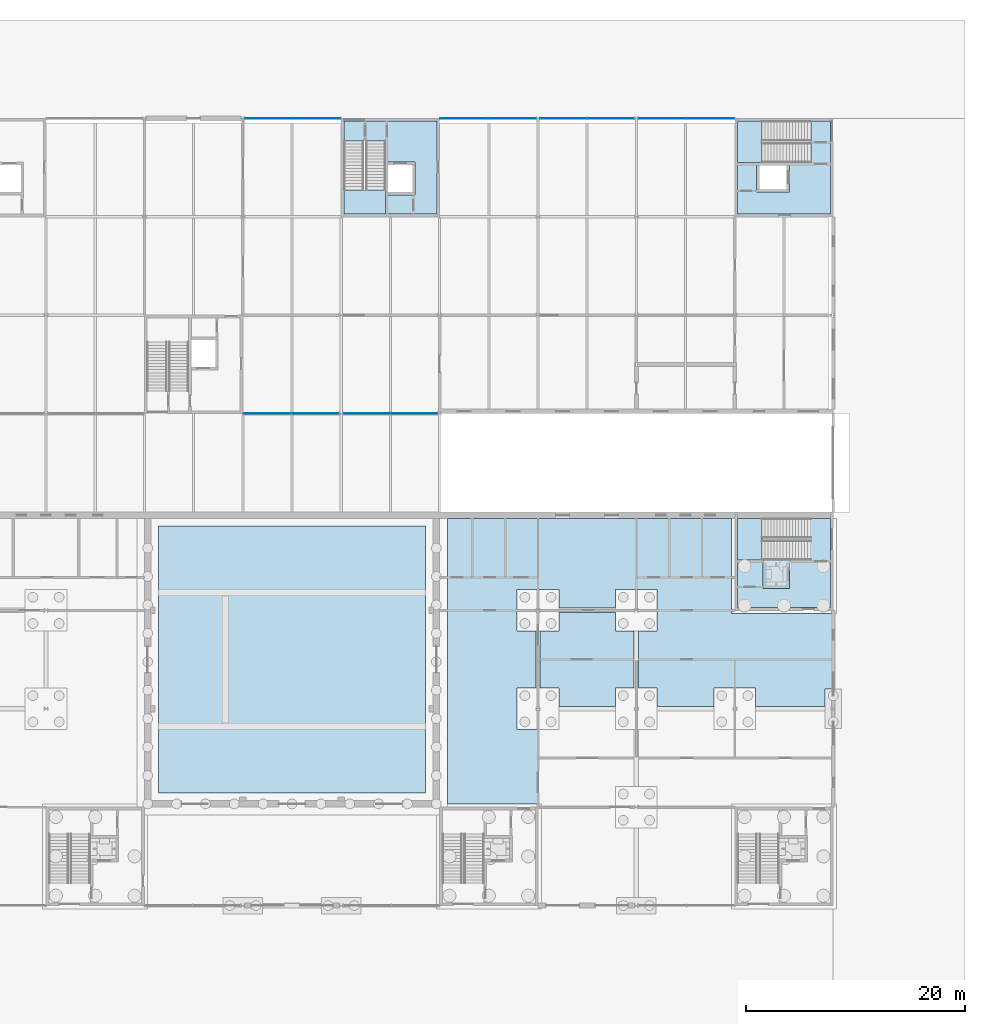
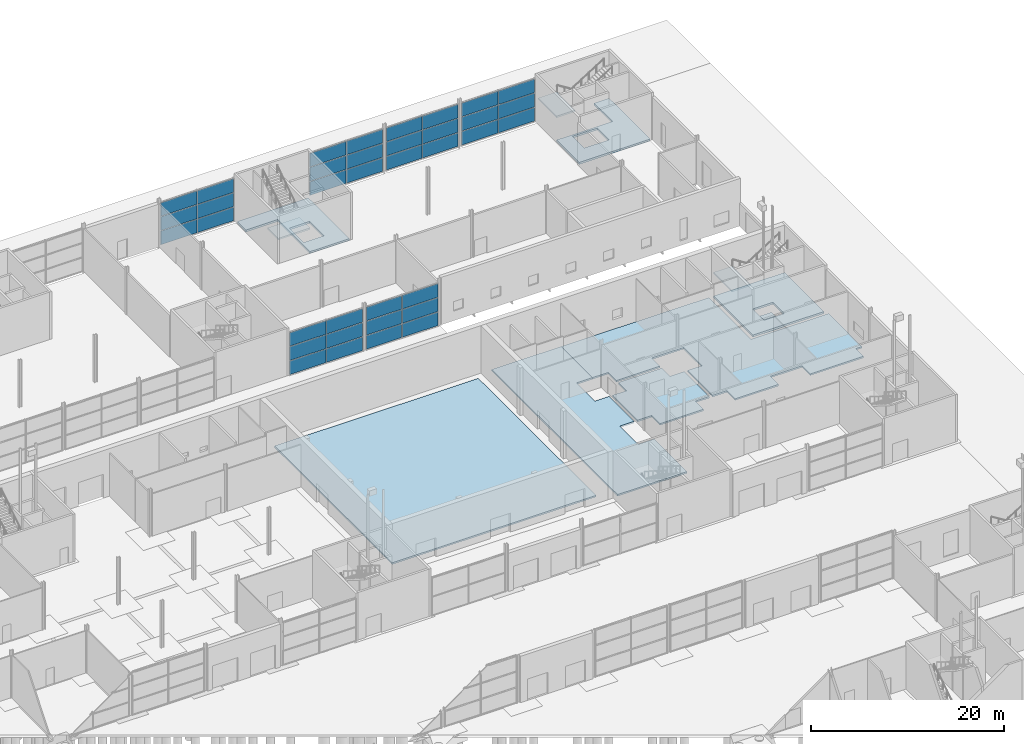
# One storey, part 59 of 97: 36 plates, 11 slabs, 9 elements without a shape of their own.
"""IFC4 building model written with IfcOpenShell, lengths in metres."""

from ifc_helpers import new_model, si_unit, direction, frame, origin, origin_2d, place, context, subcontext, project, spatial, polyline, rectangle, outline, extrude, material, layer, layer_set, type_object, element, aggregate, save


model = new_model("IFC4")

# Units and contexts
model_context = context("Model", 3, precision=1e-05, world=origin(), true_north=direction((0.0, 1.0)))
body_context = subcontext(model_context, "Body", "Model", "MODEL_VIEW")
ifc_project = project(units=[si_unit("LENGTHUNIT", "METRE"), si_unit("AREAUNIT", "SQUARE_METRE"), si_unit("VOLUMEUNIT", "CUBIC_METRE"), si_unit("PLANEANGLEUNIT", "RADIAN"), si_unit("MASSUNIT", "GRAM", prefix="KILO")], contexts=[model_context])

# Site, building, storey
site_placement = place(None, origin())
site = spatial("IfcSite", under=ifc_project, at=site_placement, CompositionType="ELEMENT")
building_placement = place(site_placement, origin())
building = spatial("IfcBuilding", under=site, at=building_placement, Name="Corbel Yard City Hall", CompositionType="ELEMENT")
storey_placement = place(building_placement, origin())
storey = spatial("IfcBuildingStorey", under=building, at=storey_placement, Name="L00", CompositionType="ELEMENT", Elevation=0.0)

# Slabs
ifc_material_1 = material(Name="Concrete N40 (40 MPa)", Category="concrete")
ifc_layer_1 = layer(ifc_material_1, 0.25)
ifc_layer_set_1 = layer_set([ifc_layer_1], Name="Concrete N40 (40 MPa)")
slab_type_1 = type_object("IfcSlabType", Name="CF1", PredefinedType="FLOOR", material=ifc_layer_set_1)
slab_1_placement = place(storey_placement, frame((0.0, 0.0, -0.25)))
element("IfcSlab", 1, at=slab_1_placement, inside=storey, type_object=slab_type_1, Name="Core floor slab", PredefinedType="FLOOR", context=body_context, shape_type="SweptSolid", body=[
    extrude(outline(polyline([(171.25, 72.25), (179.75, 72.25), (179.75, 80.39990234375), (171.25, 80.39990234375), (171.25, 72.25)]), holes=[polyline([(176.0, 76.35009765625), (173.60009765625, 76.35009765625), (173.60009765625, 74.0), (176.0, 74.0), (176.0, 76.35009765625)])]), origin(), (0.0, 0.0, 1.0), 0.25),
])
slab_2_placement = place(storey_placement, frame((0.0, 0.0, -0.25)))
element("IfcSlab", 2, at=slab_2_placement, inside=storey, type_object=slab_type_1, Name="Core floor slab", PredefinedType="FLOOR", context=body_context, shape_type="SweptSolid", body=[
    extrude(outline(polyline([(135.25, 116.75), (135.25, 114.948974609375), (139.050048828125, 114.948974609375), (139.050048828125, 108.25), (143.75, 108.25), (143.75, 116.75), (135.25, 116.75)]), holes=[polyline([(141.75, 110.0), (141.75, 113.0), (139.300048828125, 113.0), (139.300048828125, 110.0), (141.75, 110.0)])]), origin(), (0.0, 0.0, 1.0), 0.25),
])
slab_3_placement = place(storey_placement, frame((0.0, 0.0, -0.25)))
element("IfcSlab", 3, at=slab_3_placement, inside=storey, type_object=slab_type_1, Name="Core floor slab", PredefinedType="FLOOR", context=body_context, shape_type="SweptSolid", body=[
    extrude(outline(polyline([(179.75, 116.75), (177.948974609375, 116.75), (177.948974609375, 112.949951171875), (171.25, 112.949951171875), (171.25, 108.25), (179.75, 108.25), (179.75, 116.75)]), holes=[polyline([(176.0, 110.25), (176.0, 112.699951171875), (173.0, 112.699951171875), (173.0, 110.25), (176.0, 110.25)])]), origin(), (0.0, 0.0, 1.0), 0.25),
])
ifc_layer_2 = layer(ifc_material_1, 0.300048828125)
ifc_layer_set_2 = layer_set([ifc_layer_2], Name="Concrete N40 (40 MPa)")
slab_type_2 = type_object("IfcSlabType", Name="CF2", PredefinedType="BASESLAB", material=ifc_layer_set_2)
slab_4_placement = place(storey_placement, frame((0.0, 0.0, -1.699951171875)))
element("IfcSlab", 4, at=slab_4_placement, inside=storey, type_object=slab_type_2, Name="Lift LP15 pit slab", PredefinedType="BASESLAB", context=body_context, shape_type="SweptSolid", body=[
    extrude(outline(polyline([(173.60009765625, 74.0), (176.0, 74.0), (176.0, 76.60009765625), (173.60009765625, 76.60009765625), (173.60009765625, 74.0)])), origin(), (0.0, 0.0, 1.0), 0.300048828125),
])
ifc_layer_3 = layer(ifc_material_1, 0.199951171875)
ifc_layer_set_3 = layer_set([ifc_layer_3], Name="Concrete N40 (40 MPa)")
slab_type_3 = type_object("IfcSlabType", Name="Ground slab 200", PredefinedType="BASESLAB", material=ifc_layer_set_3)
slab_5_placement = place(storey_placement, frame((0.0, 0.0, -0.199951171875)))
element("IfcSlab", 5, at=slab_5_placement, inside=storey, type_object=slab_type_3, Name="Ground slab on grade Council Chamber block", PredefinedType="BASESLAB", context=body_context, shape_type="SweptSolid", body=[
    extrude(outline(polyline([(152.800048828125, 70.10009765625), (151.10009765625, 70.10009765625), (151.10009765625, 73.89990234375), (153.0, 73.89990234375), (153.0, 80.39990234375), (144.699951171875, 80.39990234375), (144.699951171875, 54.300048828125), (153.0, 54.300048828125), (153.0, 61.10009765625), (151.10009765625, 61.10009765625), (151.10009765625, 64.89990234375), (152.800048828125, 64.89990234375), (152.800048828125, 70.10009765625)])), origin(), (0.0, 0.0, 1.0), 0.199951171875),
])
slab_6_placement = place(storey_placement, frame((0.0, 0.0, -0.199951171875)))
element("IfcSlab", 6, at=slab_6_placement, inside=storey, type_object=slab_type_3, Name="Ground slab on grade Council Chamber block", PredefinedType="BASESLAB", context=body_context, shape_type="SweptSolid", body=[
    extrude(outline(polyline([(142.699951171875, 55.300048828125), (142.699951171875, 79.699951171875), (118.300048828125, 79.699951171875), (118.300048828125, 55.300048828125), (142.699951171875, 55.300048828125)])), origin(), (0.0, 0.0, 1.0), 0.199951171875),
])
slab_7_placement = place(storey_placement, frame((0.0, 0.0, -0.199951171875)))
element("IfcSlab", 7, at=slab_7_placement, inside=storey, type_object=slab_type_3, Name="Ground slab on grade Members' wing", PredefinedType="BASESLAB", context=body_context, shape_type="SweptSolid", body=[
    extrude(outline(polyline([(162.199951171875, 64.89990234375), (163.89990234375, 64.89990234375), (163.89990234375, 63.199951171875), (169.10009765625, 63.199951171875), (169.10009765625, 64.89990234375), (172.89990234375, 64.89990234375), (172.89990234375, 63.199951171875), (179.25, 63.199951171875), (179.25, 64.800048828125), (180.0, 64.800048828125), (180.0, 71.699951171875), (170.699951171875, 71.699951171875), (170.699951171875, 80.39990234375), (153.0, 80.39990234375), (153.0, 73.89990234375), (154.89990234375, 73.89990234375), (154.89990234375, 72.199951171875), (160.10009765625, 72.199951171875), (160.10009765625, 73.89990234375), (163.89990234375, 73.89990234375), (163.89990234375, 70.10009765625), (162.199951171875, 70.10009765625), (162.199951171875, 64.89990234375)])), origin(), (0.0, 0.0, 1.0), 0.199951171875),
])
slab_8_placement = place(storey_placement, frame((0.0, 0.0, -0.199951171875)))
element("IfcSlab", 8, at=slab_8_placement, inside=storey, type_object=slab_type_3, Name="Ground slab on grade Members' wing", PredefinedType="BASESLAB", context=body_context, shape_type="SweptSolid", body=[
    extrude(outline(polyline([(160.10009765625, 71.800048828125), (154.89990234375, 71.800048828125), (154.89990234375, 70.10009765625), (153.199951171875, 70.10009765625), (153.199951171875, 64.89990234375), (154.89990234375, 64.89990234375), (154.89990234375, 63.199951171875), (160.10009765625, 63.199951171875), (160.10009765625, 64.89990234375), (161.800048828125, 64.89990234375), (161.800048828125, 70.10009765625), (160.10009765625, 70.10009765625), (160.10009765625, 71.800048828125)])), origin(), (0.0, 0.0, 1.0), 0.199951171875),
])

# Stair, slab
stair_type = type_object("IfcStairType", Name="ST2", PredefinedType="HALF_TURN_STAIR", material=ifc_material_1)
stair_1_placement = place(storey_placement, origin())
stair_1 = element("IfcStair", 9, at=stair_1_placement, inside=storey, type_object=stair_type, Name="Exit stair L00", PredefinedType="HALF_TURN_STAIR")
ifc_layer_4 = layer(ifc_material_1, 0.199951171875)
ifc_layer_set_4 = layer_set([ifc_layer_4], Name="Concrete N40 (40 MPa)")
slab_type_4 = type_object("IfcSlabType", Name="LN1", PredefinedType="LANDING", material=ifc_layer_set_4)
slab_9_placement = place(storey_placement, frame((0.0, 0.0, 2.800048828125)))
slab_9 = element("IfcSlab", 10, at=slab_9_placement, type_object=slab_type_4, Name="PS15 landing 1", PredefinedType="LANDING", context=body_context, shape_type="SweptSolid", body=[
    extrude(outline(polyline([(171.25, 76.60009765625), (173.469970703125, 76.60009765625), (173.469970703125, 80.39990234375), (171.25, 80.39990234375), (171.25, 76.60009765625)])), origin(), (0.0, 0.0, 1.0), 0.199951171875),
])
aggregate(stair_1, [slab_9])

stair_2_placement = place(storey_placement, origin())
stair_2 = element("IfcStair", 11, at=stair_2_placement, inside=storey, type_object=stair_type, Name="Exit stair L00", PredefinedType="HALF_TURN_STAIR")
slab_10_placement = place(storey_placement, frame((0.0, 0.0, 2.800048828125)))
slab_10 = element("IfcSlab", 12, at=slab_10_placement, type_object=slab_type_4, Name="PS18 landing 1", PredefinedType="LANDING", context=body_context, shape_type="SweptSolid", body=[
    extrude(outline(polyline([(135.25, 108.25), (139.050048828125, 108.25), (139.050048828125, 110.469970703125), (135.25, 110.469970703125), (135.25, 108.25)])), origin(), (0.0, 0.0, 1.0), 0.199951171875),
])
aggregate(stair_2, [slab_10])

stair_3_placement = place(storey_placement, origin())
stair_3 = element("IfcStair", 13, at=stair_3_placement, inside=storey, type_object=stair_type, Name="Exit stair L00", PredefinedType="HALF_TURN_STAIR")
slab_11_placement = place(storey_placement, frame((0.0, 0.0, 2.800048828125)))
slab_11 = element("IfcSlab", 14, at=slab_11_placement, type_object=slab_type_4, Name="PS19 landing 1", PredefinedType="LANDING", context=body_context, shape_type="SweptSolid", body=[
    extrude(outline(polyline([(171.25, 112.949951171875), (173.469970703125, 112.949951171875), (173.469970703125, 116.75), (171.25, 116.75), (171.25, 112.949951171875)])), origin(), (0.0, 0.0, 1.0), 0.199951171875),
])
aggregate(stair_3, [slab_11])

# Curtain wall, plates
ifc_material_2 = material(Name="Aluminium extrusion", Category="aluminium")
ifc_layer_5 = layer(ifc_material_2, 0.25)
ifc_layer_set_5 = layer_set([ifc_layer_5], Name="Aluminium extrusion")
curtain_wall_type = type_object("IfcCurtainWallType", Name="CW4", PredefinedType="USERDEFINED", material=ifc_layer_set_5)
curtain_wall_1_placement = place(storey_placement, origin())
curtain_wall_1 = element("IfcCurtainWall", 15, at=curtain_wall_1_placement, inside=storey, type_object=curtain_wall_type, Name="Curtain wall CW4 L00", ObjectType="CURTAIN WALL", PredefinedType="USERDEFINED")
ifc_material_3 = material(Name="Laminated toughened storefront glass", Category="glass")
ifc_layer_6 = layer(ifc_material_3, 0.0400390625)
ifc_layer_set_6 = layer_set([ifc_layer_6], Name="Laminated toughened storefront glass")
plate_type = type_object("IfcPlateType", Name="PN5", PredefinedType="CURTAIN_PANEL", material=ifc_layer_set_6)
plate_1_placement = place(storey_placement, frame((128.226806640625, 90.0, 0.06494140625), z_axis=(0.0, 0.0, 1.0), x_axis=(1.0, 0.0, 0.0)))
plate_1 = element("IfcPlate", 16, at=plate_1_placement, type_object=plate_type, Name="CW4 panel 1.1", PredefinedType="CURTAIN_PANEL", context=body_context, shape_type="SweptSolid", body=[
    extrude(rectangle(XDim=4.32373046875, YDim=0.0400390625, at=origin_2d()), origin(), (0.0, 0.0, 1.0), 1.71728515625),
])
plate_2_placement = place(storey_placement, frame((128.226806640625, 90.0, 1.84716796875), z_axis=(0.0, 0.0, 1.0), x_axis=(1.0, 0.0, 0.0)))
plate_2 = element("IfcPlate", 17, at=plate_2_placement, type_object=plate_type, Name="CW4 panel 1.2", PredefinedType="CURTAIN_PANEL", context=body_context, shape_type="SweptSolid", body=[
    extrude(rectangle(XDim=4.32373046875, YDim=0.0400390625, at=origin_2d()), origin(), (0.0, 0.0, 1.0), 1.749755859375),
])
plate_3_placement = place(storey_placement, frame((128.226806640625, 90.0, 3.661865234375), z_axis=(0.0, 0.0, 1.0), x_axis=(1.0, 0.0, 0.0)))
plate_3 = element("IfcPlate", 18, at=plate_3_placement, type_object=plate_type, Name="CW4 panel 1.3", PredefinedType="CURTAIN_PANEL", context=body_context, shape_type="SweptSolid", body=[
    extrude(rectangle(XDim=4.32373046875, YDim=0.0400390625, at=origin_2d()), origin(), (0.0, 0.0, 1.0), 1.71728515625),
])
plate_4_placement = place(storey_placement, frame((132.61572265625, 90.0, 0.06494140625), z_axis=(0.0, 0.0, 1.0), x_axis=(1.0, 0.0, 0.0)))
plate_4 = element("IfcPlate", 19, at=plate_4_placement, type_object=plate_type, Name="CW4 panel 2.1", PredefinedType="CURTAIN_PANEL", context=body_context, shape_type="SweptSolid", body=[
    extrude(rectangle(XDim=4.32373046875, YDim=0.0400390625, at=origin_2d()), origin(), (0.0, 0.0, 1.0), 1.71728515625),
])
plate_5_placement = place(storey_placement, frame((132.61572265625, 90.0, 1.84716796875), z_axis=(0.0, 0.0, 1.0), x_axis=(1.0, 0.0, 0.0)))
plate_5 = element("IfcPlate", 20, at=plate_5_placement, type_object=plate_type, Name="CW4 panel 2.2", PredefinedType="CURTAIN_PANEL", context=body_context, shape_type="SweptSolid", body=[
    extrude(rectangle(XDim=4.32373046875, YDim=0.0400390625, at=origin_2d()), origin(), (0.0, 0.0, 1.0), 1.749755859375),
])
plate_6_placement = place(storey_placement, frame((132.61572265625, 90.0, 3.661865234375), z_axis=(0.0, 0.0, 1.0), x_axis=(1.0, 0.0, 0.0)))
plate_6 = element("IfcPlate", 21, at=plate_6_placement, type_object=plate_type, Name="CW4 panel 2.3", PredefinedType="CURTAIN_PANEL", context=body_context, shape_type="SweptSolid", body=[
    extrude(rectangle(XDim=4.32373046875, YDim=0.0400390625, at=origin_2d()), origin(), (0.0, 0.0, 1.0), 1.71728515625),
])
aggregate(curtain_wall_1, [plate_1, plate_2, plate_3, plate_4, plate_5, plate_6])

curtain_wall_2_placement = place(storey_placement, origin())
curtain_wall_2 = element("IfcCurtainWall", 22, at=curtain_wall_2_placement, inside=storey, type_object=curtain_wall_type, Name="Curtain wall CW4 L00", ObjectType="CURTAIN WALL", PredefinedType="USERDEFINED")
plate_7_placement = place(storey_placement, frame((137.344970703125, 90.0, 0.06494140625), z_axis=(0.0, 0.0, 1.0), x_axis=(1.0, 0.0, 0.0)))
plate_7 = element("IfcPlate", 23, at=plate_7_placement, type_object=plate_type, Name="CW4 panel 1.1", PredefinedType="CURTAIN_PANEL", context=body_context, shape_type="SweptSolid", body=[
    extrude(rectangle(XDim=4.2451171875, YDim=0.0400390625, at=origin_2d()), origin(), (0.0, 0.0, 1.0), 1.71728515625),
])
plate_8_placement = place(storey_placement, frame((137.344970703125, 90.0, 1.84716796875), z_axis=(0.0, 0.0, 1.0), x_axis=(1.0, 0.0, 0.0)))
plate_8 = element("IfcPlate", 24, at=plate_8_placement, type_object=plate_type, Name="CW4 panel 1.2", PredefinedType="CURTAIN_PANEL", context=body_context, shape_type="SweptSolid", body=[
    extrude(rectangle(XDim=4.2451171875, YDim=0.0400390625, at=origin_2d()), origin(), (0.0, 0.0, 1.0), 1.749755859375),
])
plate_9_placement = place(storey_placement, frame((137.344970703125, 90.0, 3.661865234375), z_axis=(0.0, 0.0, 1.0), x_axis=(1.0, 0.0, 0.0)))
plate_9 = element("IfcPlate", 25, at=plate_9_placement, type_object=plate_type, Name="CW4 panel 1.3", PredefinedType="CURTAIN_PANEL", context=body_context, shape_type="SweptSolid", body=[
    extrude(rectangle(XDim=4.2451171875, YDim=0.0400390625, at=origin_2d()), origin(), (0.0, 0.0, 1.0), 1.71728515625),
])
plate_10_placement = place(storey_placement, frame((141.655029296875, 90.0, 0.06494140625), z_axis=(0.0, 0.0, 1.0), x_axis=(1.0, 0.0, 0.0)))
plate_10 = element("IfcPlate", 26, at=plate_10_placement, type_object=plate_type, Name="CW4 panel 2.1", PredefinedType="CURTAIN_PANEL", context=body_context, shape_type="SweptSolid", body=[
    extrude(rectangle(XDim=4.2451171875, YDim=0.0400390625, at=origin_2d()), origin(), (0.0, 0.0, 1.0), 1.71728515625),
])
plate_11_placement = place(storey_placement, frame((141.655029296875, 90.0, 1.84716796875), z_axis=(0.0, 0.0, 1.0), x_axis=(1.0, 0.0, 0.0)))
plate_11 = element("IfcPlate", 27, at=plate_11_placement, type_object=plate_type, Name="CW4 panel 2.2", PredefinedType="CURTAIN_PANEL", context=body_context, shape_type="SweptSolid", body=[
    extrude(rectangle(XDim=4.2451171875, YDim=0.0400390625, at=origin_2d()), origin(), (0.0, 0.0, 1.0), 1.749755859375),
])
plate_12_placement = place(storey_placement, frame((141.655029296875, 90.0, 3.661865234375), z_axis=(0.0, 0.0, 1.0), x_axis=(1.0, 0.0, 0.0)))
plate_12 = element("IfcPlate", 28, at=plate_12_placement, type_object=plate_type, Name="CW4 panel 2.3", PredefinedType="CURTAIN_PANEL", context=body_context, shape_type="SweptSolid", body=[
    extrude(rectangle(XDim=4.2451171875, YDim=0.0400390625, at=origin_2d()), origin(), (0.0, 0.0, 1.0), 1.71728515625),
])
aggregate(curtain_wall_2, [plate_7, plate_8, plate_9, plate_10, plate_11, plate_12])

curtain_wall_3_placement = place(storey_placement, origin())
curtain_wall_3 = element("IfcCurtainWall", 29, at=curtain_wall_3_placement, inside=storey, type_object=curtain_wall_type, Name="Curtain wall CW4 L00", ObjectType="CURTAIN WALL", PredefinedType="USERDEFINED")
plate_13_placement = place(storey_placement, frame((128.38427734375, 117.0, 0.06494140625), z_axis=(0.0, 0.0, 1.0), x_axis=(1.0, 0.0, 0.0)))
plate_13 = element("IfcPlate", 30, at=plate_13_placement, type_object=plate_type, Name="CW4 panel 1.1", PredefinedType="CURTAIN_PANEL", context=body_context, shape_type="SweptSolid", body=[
    extrude(rectangle(XDim=4.32373046875, YDim=0.0400390625, at=origin_2d()), origin(), (0.0, 0.0, 1.0), 1.71728515625),
])
plate_14_placement = place(storey_placement, frame((128.38427734375, 117.0, 1.84716796875), z_axis=(0.0, 0.0, 1.0), x_axis=(1.0, 0.0, 0.0)))
plate_14 = element("IfcPlate", 31, at=plate_14_placement, type_object=plate_type, Name="CW4 panel 1.2", PredefinedType="CURTAIN_PANEL", context=body_context, shape_type="SweptSolid", body=[
    extrude(rectangle(XDim=4.32373046875, YDim=0.0400390625, at=origin_2d()), origin(), (0.0, 0.0, 1.0), 1.749755859375),
])
plate_15_placement = place(storey_placement, frame((128.38427734375, 117.0, 3.661865234375), z_axis=(0.0, 0.0, 1.0), x_axis=(1.0, 0.0, 0.0)))
plate_15 = element("IfcPlate", 32, at=plate_15_placement, type_object=plate_type, Name="CW4 panel 1.3", PredefinedType="CURTAIN_PANEL", context=body_context, shape_type="SweptSolid", body=[
    extrude(rectangle(XDim=4.32373046875, YDim=0.0400390625, at=origin_2d()), origin(), (0.0, 0.0, 1.0), 1.71728515625),
])
plate_16_placement = place(storey_placement, frame((132.773193359375, 117.0, 0.06494140625), z_axis=(0.0, 0.0, 1.0), x_axis=(1.0, 0.0, 0.0)))
plate_16 = element("IfcPlate", 33, at=plate_16_placement, type_object=plate_type, Name="CW4 panel 2.1", PredefinedType="CURTAIN_PANEL", context=body_context, shape_type="SweptSolid", body=[
    extrude(rectangle(XDim=4.32373046875, YDim=0.0400390625, at=origin_2d()), origin(), (0.0, 0.0, 1.0), 1.71728515625),
])
plate_17_placement = place(storey_placement, frame((132.773193359375, 117.0, 1.84716796875), z_axis=(0.0, 0.0, 1.0), x_axis=(1.0, 0.0, 0.0)))
plate_17 = element("IfcPlate", 34, at=plate_17_placement, type_object=plate_type, Name="CW4 panel 2.2", PredefinedType="CURTAIN_PANEL", context=body_context, shape_type="SweptSolid", body=[
    extrude(rectangle(XDim=4.32373046875, YDim=0.0400390625, at=origin_2d()), origin(), (0.0, 0.0, 1.0), 1.749755859375),
])
plate_18_placement = place(storey_placement, frame((132.773193359375, 117.0, 3.661865234375), z_axis=(0.0, 0.0, 1.0), x_axis=(1.0, 0.0, 0.0)))
plate_18 = element("IfcPlate", 35, at=plate_18_placement, type_object=plate_type, Name="CW4 panel 2.3", PredefinedType="CURTAIN_PANEL", context=body_context, shape_type="SweptSolid", body=[
    extrude(rectangle(XDim=4.32373046875, YDim=0.0400390625, at=origin_2d()), origin(), (0.0, 0.0, 1.0), 1.71728515625),
])
aggregate(curtain_wall_3, [plate_13, plate_14, plate_15, plate_16, plate_17, plate_18])

curtain_wall_4_placement = place(storey_placement, origin())
curtain_wall_4 = element("IfcCurtainWall", 36, at=curtain_wall_4_placement, inside=storey, type_object=curtain_wall_type, Name="Curtain wall CW4 L00", ObjectType="CURTAIN WALL", PredefinedType="USERDEFINED")
plate_19_placement = place(storey_placement, frame((146.226806640625, 117.0, 0.06494140625), z_axis=(0.0, 0.0, 1.0), x_axis=(1.0, 0.0, 0.0)))
plate_19 = element("IfcPlate", 37, at=plate_19_placement, type_object=plate_type, Name="CW4 panel 1.1", PredefinedType="CURTAIN_PANEL", context=body_context, shape_type="SweptSolid", body=[
    extrude(rectangle(XDim=4.32373046875, YDim=0.0400390625, at=origin_2d()), origin(), (0.0, 0.0, 1.0), 1.71728515625),
])
plate_20_placement = place(storey_placement, frame((146.226806640625, 117.0, 1.84716796875), z_axis=(0.0, 0.0, 1.0), x_axis=(1.0, 0.0, 0.0)))
plate_20 = element("IfcPlate", 38, at=plate_20_placement, type_object=plate_type, Name="CW4 panel 1.2", PredefinedType="CURTAIN_PANEL", context=body_context, shape_type="SweptSolid", body=[
    extrude(rectangle(XDim=4.32373046875, YDim=0.0400390625, at=origin_2d()), origin(), (0.0, 0.0, 1.0), 1.749755859375),
])
plate_21_placement = place(storey_placement, frame((146.226806640625, 117.0, 3.661865234375), z_axis=(0.0, 0.0, 1.0), x_axis=(1.0, 0.0, 0.0)))
plate_21 = element("IfcPlate", 39, at=plate_21_placement, type_object=plate_type, Name="CW4 panel 1.3", PredefinedType="CURTAIN_PANEL", context=body_context, shape_type="SweptSolid", body=[
    extrude(rectangle(XDim=4.32373046875, YDim=0.0400390625, at=origin_2d()), origin(), (0.0, 0.0, 1.0), 1.71728515625),
])
plate_22_placement = place(storey_placement, frame((150.61572265625, 117.0, 0.06494140625), z_axis=(0.0, 0.0, 1.0), x_axis=(1.0, 0.0, 0.0)))
plate_22 = element("IfcPlate", 40, at=plate_22_placement, type_object=plate_type, Name="CW4 panel 2.1", PredefinedType="CURTAIN_PANEL", context=body_context, shape_type="SweptSolid", body=[
    extrude(rectangle(XDim=4.32373046875, YDim=0.0400390625, at=origin_2d()), origin(), (0.0, 0.0, 1.0), 1.71728515625),
])
plate_23_placement = place(storey_placement, frame((150.61572265625, 117.0, 1.84716796875), z_axis=(0.0, 0.0, 1.0), x_axis=(1.0, 0.0, 0.0)))
plate_23 = element("IfcPlate", 41, at=plate_23_placement, type_object=plate_type, Name="CW4 panel 2.2", PredefinedType="CURTAIN_PANEL", context=body_context, shape_type="SweptSolid", body=[
    extrude(rectangle(XDim=4.32373046875, YDim=0.0400390625, at=origin_2d()), origin(), (0.0, 0.0, 1.0), 1.749755859375),
])
plate_24_placement = place(storey_placement, frame((150.61572265625, 117.0, 3.661865234375), z_axis=(0.0, 0.0, 1.0), x_axis=(1.0, 0.0, 0.0)))
plate_24 = element("IfcPlate", 42, at=plate_24_placement, type_object=plate_type, Name="CW4 panel 2.3", PredefinedType="CURTAIN_PANEL", context=body_context, shape_type="SweptSolid", body=[
    extrude(rectangle(XDim=4.32373046875, YDim=0.0400390625, at=origin_2d()), origin(), (0.0, 0.0, 1.0), 1.71728515625),
])
aggregate(curtain_wall_4, [plate_19, plate_20, plate_21, plate_22, plate_23, plate_24])

curtain_wall_5_placement = place(storey_placement, origin())
curtain_wall_5 = element("IfcCurtainWall", 43, at=curtain_wall_5_placement, inside=storey, type_object=curtain_wall_type, Name="Curtain wall CW4 L00", ObjectType="CURTAIN WALL", PredefinedType="USERDEFINED")
plate_25_placement = place(storey_placement, frame((155.344970703125, 117.0, 0.06494140625), z_axis=(0.0, 0.0, 1.0), x_axis=(1.0, 0.0, 0.0)))
plate_25 = element("IfcPlate", 44, at=plate_25_placement, type_object=plate_type, Name="CW4 panel 1.1", PredefinedType="CURTAIN_PANEL", context=body_context, shape_type="SweptSolid", body=[
    extrude(rectangle(XDim=4.2451171875, YDim=0.0400390625, at=origin_2d()), origin(), (0.0, 0.0, 1.0), 1.71728515625),
])
plate_26_placement = place(storey_placement, frame((155.344970703125, 117.0, 1.84716796875), z_axis=(0.0, 0.0, 1.0), x_axis=(1.0, 0.0, 0.0)))
plate_26 = element("IfcPlate", 45, at=plate_26_placement, type_object=plate_type, Name="CW4 panel 1.2", PredefinedType="CURTAIN_PANEL", context=body_context, shape_type="SweptSolid", body=[
    extrude(rectangle(XDim=4.2451171875, YDim=0.0400390625, at=origin_2d()), origin(), (0.0, 0.0, 1.0), 1.749755859375),
])
plate_27_placement = place(storey_placement, frame((155.344970703125, 117.0, 3.661865234375), z_axis=(0.0, 0.0, 1.0), x_axis=(1.0, 0.0, 0.0)))
plate_27 = element("IfcPlate", 46, at=plate_27_placement, type_object=plate_type, Name="CW4 panel 1.3", PredefinedType="CURTAIN_PANEL", context=body_context, shape_type="SweptSolid", body=[
    extrude(rectangle(XDim=4.2451171875, YDim=0.0400390625, at=origin_2d()), origin(), (0.0, 0.0, 1.0), 1.71728515625),
])
plate_28_placement = place(storey_placement, frame((159.655029296875, 117.0, 0.06494140625), z_axis=(0.0, 0.0, 1.0), x_axis=(1.0, 0.0, 0.0)))
plate_28 = element("IfcPlate", 47, at=plate_28_placement, type_object=plate_type, Name="CW4 panel 2.1", PredefinedType="CURTAIN_PANEL", context=body_context, shape_type="SweptSolid", body=[
    extrude(rectangle(XDim=4.2451171875, YDim=0.0400390625, at=origin_2d()), origin(), (0.0, 0.0, 1.0), 1.71728515625),
])
plate_29_placement = place(storey_placement, frame((159.655029296875, 117.0, 1.84716796875), z_axis=(0.0, 0.0, 1.0), x_axis=(1.0, 0.0, 0.0)))
plate_29 = element("IfcPlate", 48, at=plate_29_placement, type_object=plate_type, Name="CW4 panel 2.2", PredefinedType="CURTAIN_PANEL", context=body_context, shape_type="SweptSolid", body=[
    extrude(rectangle(XDim=4.2451171875, YDim=0.0400390625, at=origin_2d()), origin(), (0.0, 0.0, 1.0), 1.749755859375),
])
plate_30_placement = place(storey_placement, frame((159.655029296875, 117.0, 3.661865234375), z_axis=(0.0, 0.0, 1.0), x_axis=(1.0, 0.0, 0.0)))
plate_30 = element("IfcPlate", 49, at=plate_30_placement, type_object=plate_type, Name="CW4 panel 2.3", PredefinedType="CURTAIN_PANEL", context=body_context, shape_type="SweptSolid", body=[
    extrude(rectangle(XDim=4.2451171875, YDim=0.0400390625, at=origin_2d()), origin(), (0.0, 0.0, 1.0), 1.71728515625),
])
aggregate(curtain_wall_5, [plate_25, plate_26, plate_27, plate_28, plate_29, plate_30])

curtain_wall_6_placement = place(storey_placement, origin())
curtain_wall_6 = element("IfcCurtainWall", 50, at=curtain_wall_6_placement, inside=storey, type_object=curtain_wall_type, Name="Curtain wall CW4 L00", ObjectType="CURTAIN WALL", PredefinedType="USERDEFINED")
plate_31_placement = place(storey_placement, frame((164.38427734375, 117.0, 0.06494140625), z_axis=(0.0, 0.0, 1.0), x_axis=(1.0, 0.0, 0.0)))
plate_31 = element("IfcPlate", 51, at=plate_31_placement, type_object=plate_type, Name="CW4 panel 1.1", PredefinedType="CURTAIN_PANEL", context=body_context, shape_type="SweptSolid", body=[
    extrude(rectangle(XDim=4.32373046875, YDim=0.0400390625, at=origin_2d()), origin(), (0.0, 0.0, 1.0), 1.71728515625),
])
plate_32_placement = place(storey_placement, frame((164.38427734375, 117.0, 1.84716796875), z_axis=(0.0, 0.0, 1.0), x_axis=(1.0, 0.0, 0.0)))
plate_32 = element("IfcPlate", 52, at=plate_32_placement, type_object=plate_type, Name="CW4 panel 1.2", PredefinedType="CURTAIN_PANEL", context=body_context, shape_type="SweptSolid", body=[
    extrude(rectangle(XDim=4.32373046875, YDim=0.0400390625, at=origin_2d()), origin(), (0.0, 0.0, 1.0), 1.749755859375),
])
plate_33_placement = place(storey_placement, frame((164.38427734375, 117.0, 3.661865234375), z_axis=(0.0, 0.0, 1.0), x_axis=(1.0, 0.0, 0.0)))
plate_33 = element("IfcPlate", 53, at=plate_33_placement, type_object=plate_type, Name="CW4 panel 1.3", PredefinedType="CURTAIN_PANEL", context=body_context, shape_type="SweptSolid", body=[
    extrude(rectangle(XDim=4.32373046875, YDim=0.0400390625, at=origin_2d()), origin(), (0.0, 0.0, 1.0), 1.71728515625),
])
plate_34_placement = place(storey_placement, frame((168.773193359375, 117.0, 0.06494140625), z_axis=(0.0, 0.0, 1.0), x_axis=(1.0, 0.0, 0.0)))
plate_34 = element("IfcPlate", 54, at=plate_34_placement, type_object=plate_type, Name="CW4 panel 2.1", PredefinedType="CURTAIN_PANEL", context=body_context, shape_type="SweptSolid", body=[
    extrude(rectangle(XDim=4.32373046875, YDim=0.0400390625, at=origin_2d()), origin(), (0.0, 0.0, 1.0), 1.71728515625),
])
plate_35_placement = place(storey_placement, frame((168.773193359375, 117.0, 1.84716796875), z_axis=(0.0, 0.0, 1.0), x_axis=(1.0, 0.0, 0.0)))
plate_35 = element("IfcPlate", 55, at=plate_35_placement, type_object=plate_type, Name="CW4 panel 2.2", PredefinedType="CURTAIN_PANEL", context=body_context, shape_type="SweptSolid", body=[
    extrude(rectangle(XDim=4.32373046875, YDim=0.0400390625, at=origin_2d()), origin(), (0.0, 0.0, 1.0), 1.749755859375),
])
plate_36_placement = place(storey_placement, frame((168.773193359375, 117.0, 3.661865234375), z_axis=(0.0, 0.0, 1.0), x_axis=(1.0, 0.0, 0.0)))
plate_36 = element("IfcPlate", 56, at=plate_36_placement, type_object=plate_type, Name="CW4 panel 2.3", PredefinedType="CURTAIN_PANEL", context=body_context, shape_type="SweptSolid", body=[
    extrude(rectangle(XDim=4.32373046875, YDim=0.0400390625, at=origin_2d()), origin(), (0.0, 0.0, 1.0), 1.71728515625),
])
aggregate(curtain_wall_6, [plate_31, plate_32, plate_33, plate_34, plate_35, plate_36])

save(model, "model.ifc")
